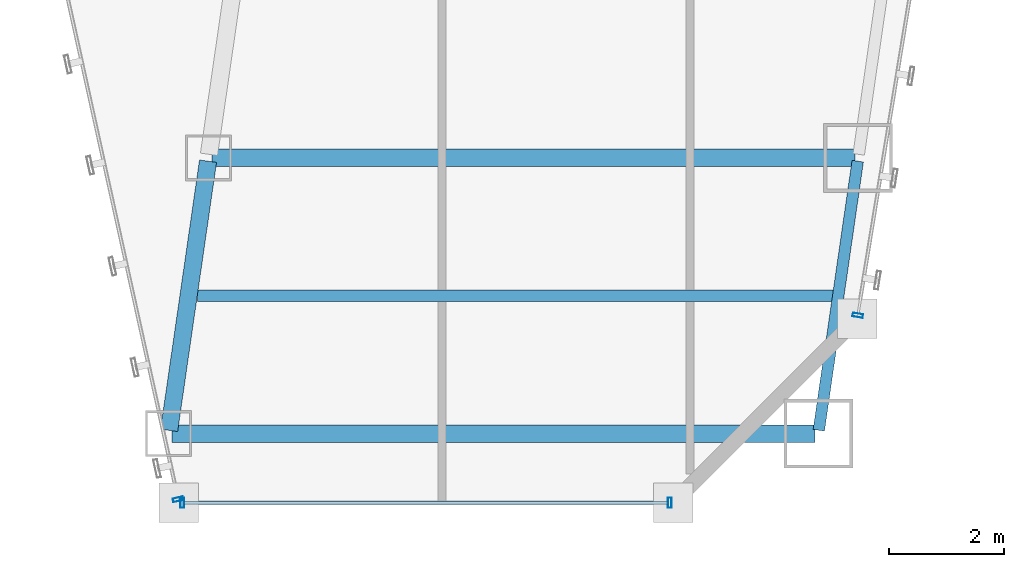
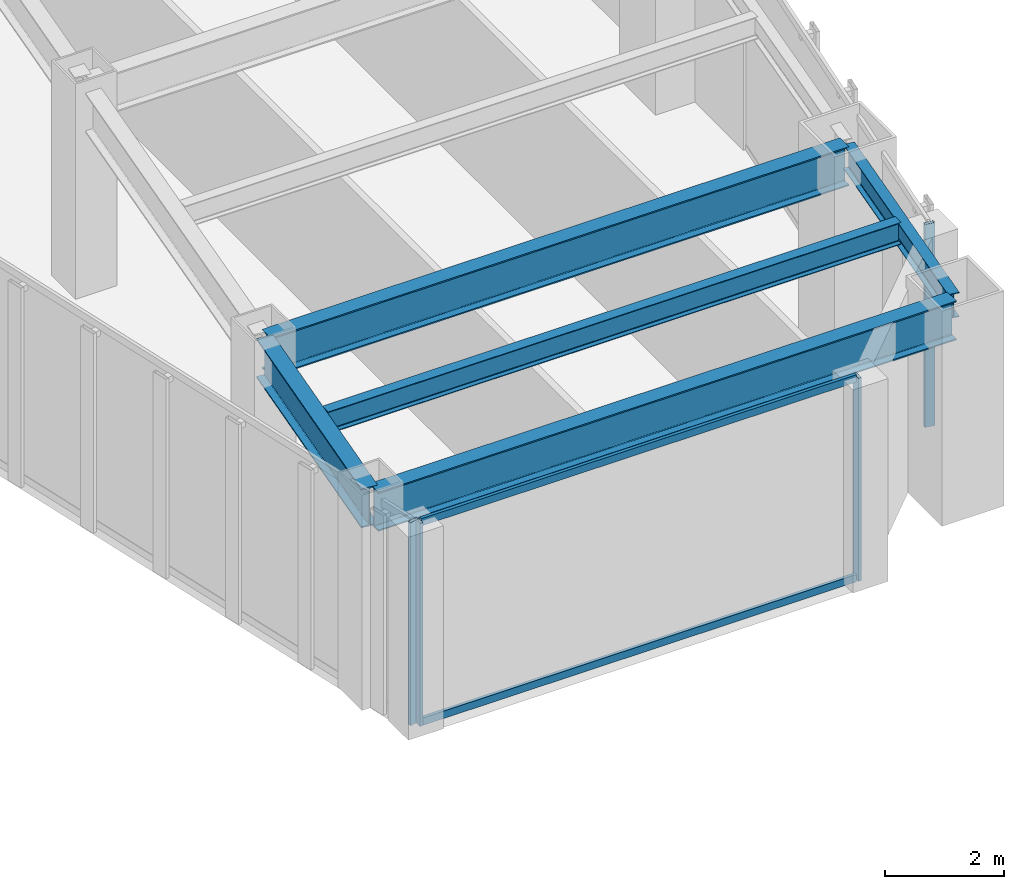
# One storey, part 15 of 47: 6 members, 5 beams, 3 elements without a shape of their own.
"""IFC4 building model written with IfcOpenShell, lengths in metres."""

import ifcopenshell
import ifcopenshell.guid

model = None  # the IFC model being written
_history = None  # IfcOwnerHistory: only IFC2X3 demands one
_inside = {}  # id of a spatial element -> (the spatial element, [elements in it])
_under = {}  # id of a project, library or spatial element -> (it, [spatial elements below it])
_declared = {}  # id of a project -> (the project, [libraries it declares])
_typed = {}  # id of a type object -> (the type object, [elements of that type])
_made_of = {}  # id of a material, layer set ... -> (it, [elements and type objects made of it])


def new_model(schema):
    """Start an empty IFC model of exactly this schema.

    Asked for "IFC4X3", IfcOpenShell would pick the latest addendum, in which some entities
    have other attributes; the version numbers below select the first issue.
    IFC2X3 requires an IfcOwnerHistory on every rooted entity: one is made here for all.
    """
    global model, _history
    if schema == "IFC4X3":
        model = ifcopenshell.file(schema_version=(4, 3, 0, 0))
    else:
        model = ifcopenshell.file(schema=schema)
    _inside.clear()
    _under.clear()
    _declared.clear()
    _typed.clear()
    _made_of.clear()
    _history = None
    if model.schema == "IFC2X3":
        org = make("IfcOrganization", Name="unknown")
        user = make(
            "IfcPersonAndOrganization",
            ThePerson=make("IfcPerson", FamilyName="unknown"),
            TheOrganization=org,
        )
        app = make(
            "IfcApplication",
            ApplicationDeveloper=org,
            Version="unknown",
            ApplicationFullName="unknown",
            ApplicationIdentifier="unknown",
        )
        _history = make(
            "IfcOwnerHistory",
            OwningUser=user,
            OwningApplication=app,
            ChangeAction="ADDED",
            CreationDate=0,
        )
    return model


def make(cls, **values):
    """One entity of the class cls with the attributes given. An attribute that is None is left unset."""
    return model.create_entity(
        cls, **{name: value for name, value in values.items() if value is not None}
    )


def rooted(cls, **values):
    """An entity with a GlobalId (a new one), such as an element, a storey or a relation."""
    return make(cls, GlobalId=ifcopenshell.guid.new(), OwnerHistory=_history, **values)


def si_unit(unit_type, name, prefix=None):
    """IfcSIUnit, for example si_unit("LENGTHUNIT", "METRE", prefix="MILLI")."""
    return make("IfcSIUnit", UnitType=unit_type, Prefix=prefix, Name=name)


def assignment(units):
    """IfcUnitAssignment: the units of a project."""
    return None if units is None else make("IfcUnitAssignment", Units=units)


def point(xyz):
    """IfcCartesianPoint."""
    return None if xyz is None else make("IfcCartesianPoint", Coordinates=xyz)


def direction(xyz):
    """IfcDirection."""
    return None if xyz is None else make("IfcDirection", DirectionRatios=xyz)


def frame(location, z_axis=None, x_axis=None):
    """IfcAxis2Placement3D, a coordinate frame: its origin and axes. An axis left out is left unset."""
    return make(
        "IfcAxis2Placement3D",
        Location=point(location),
        Axis=direction(z_axis),
        RefDirection=direction(x_axis),
    )


def frame_2d(location, x_axis=None):
    """IfcAxis2Placement2D, a coordinate frame in the plane: its origin and x axis."""
    return make(
        "IfcAxis2Placement2D", Location=point(location), RefDirection=direction(x_axis)
    )


def origin():
    """The frame at (0, 0, 0) with its axes left unset."""
    return frame((0.0, 0.0, 0.0))


def origin_2d():
    """The frame at (0, 0) in the plane with its x axis left unset."""
    return frame_2d((0.0, 0.0))


def place(relative_to, where):
    """IfcLocalPlacement: puts the frame where relative to a parent placement (None: the world)."""
    return make(
        "IfcLocalPlacement", PlacementRelTo=relative_to, RelativePlacement=where
    )


def context(
    kind, dimensions, precision=None, world=None, true_north=None, identifier=None
):
    """IfcGeometricRepresentationContext, for example the 3D "Model" context."""
    return make(
        "IfcGeometricRepresentationContext",
        ContextIdentifier=identifier,
        ContextType=kind,
        CoordinateSpaceDimension=dimensions,
        Precision=precision,
        WorldCoordinateSystem=world,
        TrueNorth=true_north,
    )


def subcontext(parent, identifier, kind, view, scale=None):
    """IfcGeometricRepresentationSubContext, for example "Body" below "Model"."""
    return make(
        "IfcGeometricRepresentationSubContext",
        ContextIdentifier=identifier,
        ContextType=kind,
        ParentContext=parent,
        TargetScale=scale,
        TargetView=view,
    )


def project(units=None, contexts=None):
    """IfcProject with its units and contexts."""
    return rooted(
        "IfcProject",
        Name="project",
        RepresentationContexts=contexts,
        UnitsInContext=assignment(units),
    )


def spatial(cls, under=None, at=None, **own):
    """A site, building, storey or space (cls), placed at a placement, below another one or the project."""
    s = rooted(cls, ObjectPlacement=at, **own)
    if under is not None:
        _under.setdefault(under.id(), (under, []))[1].append(s)
    return s


def profile(cls, at=None, kind="AREA", **sizes):
    """A parametric profile (cls). Its sizes go by their IFC names, for example OverallWidth=200.0."""
    return make(cls, ProfileType=kind, Position=at, **sizes)


def hollow_rectangle(**sizes):
    """IfcRectangleHollowProfileDef."""
    return profile("IfcRectangleHollowProfileDef", **sizes)


def i_section(**sizes):
    """IfcIShapeProfileDef."""
    return profile("IfcIShapeProfileDef", **sizes)


def extrude(swept, where, along, depth):
    """IfcExtrudedAreaSolid: the profile swept, set in the frame where, extruded along a direction by depth."""
    return make(
        "IfcExtrudedAreaSolid",
        SweptArea=swept,
        Position=where,
        ExtrudedDirection=direction(along),
        Depth=depth,
    )


def shape(context_of_items, identifier, shape_type, items):
    """IfcShapeRepresentation: the items that make up one representation, for example the "Body"."""
    return make(
        "IfcShapeRepresentation",
        ContextOfItems=context_of_items,
        RepresentationIdentifier=identifier,
        RepresentationType=shape_type,
        Items=items,
    )


def material(Name=None, Category=None):
    """IfcMaterial."""
    return make("IfcMaterial", Name=Name, Category=Category)


def material_profile(
    of_material, cross_section, Name=None, Category=None, Priority=None
):
    """IfcMaterialProfile: a cross section and its material."""
    return make(
        "IfcMaterialProfile",
        Name=Name,
        Material=of_material,
        Profile=cross_section,
        Priority=Priority,
        Category=Category,
    )


def profile_set(profiles, Name=None, composite=None):
    """IfcMaterialProfileSet."""
    return make(
        "IfcMaterialProfileSet",
        Name=Name,
        MaterialProfiles=profiles,
        CompositeProfile=composite,
    )


def made_of(thing, what):
    """Note that an element or type object is made of a material, layer set ...; save() writes the relation."""
    if what is not None:
        _made_of.setdefault(what.id(), (what, []))[1].append(thing)
    return thing


def type_object(cls, material=None, **own):
    """A type object (cls), such as IfcWallType, which elements share."""
    return made_of(rooted(cls, **own), material)


def element(
    cls,
    number,
    at=None,
    inside=None,
    cuts=None,
    type_object=None,
    material=None,
    context=None,
    identifier="Body",
    shape_type=None,
    held_by="IfcProductDefinitionShape",
    body=None,
    shapes=None,
    **own,
):
    """One element of the class cls, such as IfcWall. Its Tag is "e" and its number.

    at: its placement. inside: the storey or other place that contains it. cuts: it is an
    opening in that element (IfcRelVoidsElement). A single representation is given by context,
    identifier, shape_type and body (its items); several are given by shapes. held_by: the class
    of the entity that holds the representations. save() writes the other relations.
    """
    e = rooted(cls, Tag="e%d" % number, ObjectPlacement=at, **own)
    if body is not None:
        shapes = [shape(context, identifier, shape_type, body)]
    if shapes is not None:
        e.Representation = make(held_by, Representations=shapes)
    if inside is not None:
        _inside.setdefault(inside.id(), (inside, []))[1].append(e)
    if cuts is not None:
        rooted(
            "IfcRelVoidsElement", RelatingBuildingElement=cuts, RelatedOpeningElement=e
        )
    if type_object is not None:
        _typed.setdefault(type_object.id(), (type_object, []))[1].append(e)
    return made_of(e, material)


def aggregate(whole, parts):
    """IfcRelAggregates: a whole, such as a stair, and the parts it consists of."""
    return rooted("IfcRelAggregates", RelatingObject=whole, RelatedObjects=parts)


def save(model, path):
    """Write the relations noted so far, then the file.

    IfcRelAggregates (storeys below a building ...), IfcRelContainedInSpatialStructure (elements
    in a storey), IfcRelDefinesByType, IfcRelAssociatesMaterial and IfcRelDeclares: one each for
    every whole, place, type object, material and project.
    """
    for whole, parts in _under.values():
        aggregate(whole, parts)
    for where, things in _inside.values():
        rooted(
            "IfcRelContainedInSpatialStructure",
            RelatedElements=things,
            RelatingStructure=where,
        )
    for kind, things in _typed.values():
        rooted("IfcRelDefinesByType", RelatedObjects=things, RelatingType=kind)
    for what, things in _made_of.values():
        rooted("IfcRelAssociatesMaterial", RelatedObjects=things, RelatingMaterial=what)
    for by, libraries in _declared.values():
        rooted("IfcRelDeclares", RelatingContext=by, RelatedDefinitions=libraries)
    model.write(path)


model = new_model("IFC4")

# Units and contexts
model_context = context("Model", 3, precision=1e-05, world=origin(), true_north=direction((0.0, 1.0)))
body_context = subcontext(model_context, "Body", "Model", "MODEL_VIEW")
ifc_project = project(units=[si_unit("LENGTHUNIT", "METRE"), si_unit("AREAUNIT", "SQUARE_METRE"), si_unit("VOLUMEUNIT", "CUBIC_METRE"), si_unit("PLANEANGLEUNIT", "RADIAN"), si_unit("MASSUNIT", "GRAM", prefix="KILO")], contexts=[model_context])

# Site, building, storey
site_placement = place(None, origin())
site = spatial("IfcSite", under=ifc_project, at=site_placement, CompositionType="ELEMENT")
building_placement = place(site_placement, origin())
building = spatial("IfcBuilding", under=site, at=building_placement, Name="Saevonmaru Cultural Tower", CompositionType="ELEMENT")
storey_placement = place(building_placement, frame((0.0, 0.0, 64.800048828125)))
storey = spatial("IfcBuildingStorey", under=building, at=storey_placement, Name="L13", CompositionType="ELEMENT", Elevation=64.800048828125)

# Beams
ifc_material_1 = material(Name="Steel SM420", Category="steel")
ifc_material_profile_1 = material_profile(ifc_material_1, i_section(OverallWidth=0.300048828125, OverallDepth=0.800048828125, WebThickness=0.013916015625, FlangeThickness=0.02587890625, FilletRadius=0.028076171875, at=origin_2d()), Name="H-800x300x14x26")
ifc_profile_set_1 = profile_set([ifc_material_profile_1], Name="Steel SM420")
beam_type_1 = type_object("IfcBeamType", Name="BM-G-H800", PredefinedType="BEAM", material=ifc_profile_set_1)
beam_1_placement = place(storey_placement, frame((36.231689453125, 3.259521484375, 3.75), z_axis=(0.143083234893, 0.989710658674, 0.0), x_axis=(-0.989710658674, 0.143083234893, 0.0)))
element("IfcBeam", 1, at=beam_1_placement, inside=storey, type_object=beam_type_1, Name="L13 East Atrium Girder 1", PredefinedType="BEAM", context=body_context, shape_type="SweptSolid", body=[
    extrude(i_section(OverallWidth=0.300048828125, OverallDepth=0.800048828125, WebThickness=0.013916015625, FlangeThickness=0.02587890625, FilletRadius=0.028076171875, at=origin_2d()), origin(), (0.0, 0.0, 1.0), 4.729736328125),
])
for number, where, z_axis, x_axis, name in (
    (2, (36.282958984375, 3.199951171875, 3.75), (1.0, 0.0, 0.0), (0.0, 1.0, 0.0), "L13 East Wing Transverse Girder 1"),
    (3, (36.97705078125, 8.0, 3.75), (1.0, 0.0, 0.0), (0.0, 1.0, 0.0), "L13 East Wing Transverse Girder 2"),
):
    element("IfcBeam", number, at=place(storey_placement, frame(where, z_axis=z_axis, x_axis=x_axis)), inside=storey, type_object=beam_type_1, Name=name, PredefinedType="BEAM", context=body_context, shape_type="SweptSolid", body=[
        extrude(i_section(OverallWidth=0.300048828125, OverallDepth=0.800048828125, WebThickness=0.013916015625, FlangeThickness=0.02587890625, FilletRadius=0.028076171875, at=origin_2d()), origin(), (0.0, 0.0, 1.0), 11.179931640625),
    ])
ifc_material_2 = material(Name="Steel SM355", Category="steel")
ifc_material_profile_2 = material_profile(ifc_material_2, i_section(OverallWidth=0.199951171875, OverallDepth=0.449951171875, WebThickness=0.009033203125, FlangeThickness=0.013916015625, FilletRadius=0.01806640625, at=origin_2d()), Name="H-450x200x9x14")
ifc_profile_set_2 = profile_set([ifc_material_profile_2], Name="Steel SM355")
beam_type_2 = type_object("IfcBeamType", Name="BM-J-H450", PredefinedType="JOIST", material=ifc_profile_set_2)
beam_2_placement = place(storey_placement, frame((36.72802734375, 5.60009765625, 3.925048828125), z_axis=(1.0, 0.0, 0.0), x_axis=(0.0, 1.0, 0.0)))
element("IfcBeam", 4, at=beam_2_placement, inside=storey, type_object=beam_type_2, Name="L13 East Wing Floor Joist 1", PredefinedType="JOIST", context=body_context, shape_type="SweptSolid", body=[
    extrude(i_section(OverallWidth=0.199951171875, OverallDepth=0.449951171875, WebThickness=0.009033203125, FlangeThickness=0.013916015625, FilletRadius=0.01806640625, at=origin_2d()), origin(), (0.0, 0.0, 1.0), 11.08203125),
])
ifc_material_profile_3 = material_profile(ifc_material_2, i_section(OverallWidth=0.199951171875, OverallDepth=0.5, WebThickness=0.010009765625, FlangeThickness=0.01611328125, FilletRadius=0.02001953125, at=origin_2d()), Name="H-500x200x10x16")
ifc_profile_set_3 = profile_set([ifc_material_profile_3], Name="Steel SM355")
beam_type_3 = type_object("IfcBeamType", Name="BM-SP-H500", PredefinedType="SPANDREL", material=ifc_profile_set_3)
beam_3_placement = place(storey_placement, frame((47.531494140625, 3.259521484375, 3.89990234375), z_axis=(0.14313379491, 0.989703347855, 0.0), x_axis=(-0.989703347855, 0.14313379491, 0.0)))
element("IfcBeam", 5, at=beam_3_placement, inside=storey, type_object=beam_type_3, Name="L13 East Splayed Spandrel 1", PredefinedType="SPANDREL", context=body_context, shape_type="SweptSolid", body=[
    extrude(i_section(OverallWidth=0.199951171875, OverallDepth=0.5, WebThickness=0.010009765625, FlangeThickness=0.01611328125, FilletRadius=0.02001953125, at=origin_2d()), origin(), (0.0, 0.0, 1.0), 4.729736328125),
])

# Curtain wall, member
ifc_material_3 = material(Name="Satin Bronze Anodised Aluminium", Category="aluminium")
curtain_wall_type = type_object("IfcCurtainWallType", Name="CW-TYP-A", PredefinedType="NOTDEFINED", material=ifc_material_3)
curtain_wall_1_placement = place(storey_placement, origin())
curtain_wall_1 = element("IfcCurtainWall", 6, at=curtain_wall_1_placement, inside=storey, type_object=curtain_wall_type, Name="L13 Unitised Curtain Wall E5", PredefinedType="NOTDEFINED")
ifc_material_profile_4 = material_profile(ifc_material_3, hollow_rectangle(XDim=0.06494140625, YDim=0.179931640625, WallThickness=0.00390625, at=origin_2d()), Name="ALU-MULL-180x65x4")
ifc_profile_set_4 = profile_set([ifc_material_profile_4], Name="Satin Bronze Anodised Aluminium")
member_type_1 = type_object("IfcMemberType", Name="ML-CW-180x65", PredefinedType="MULLION", material=ifc_profile_set_4)
member_1_placement = place(storey_placement, frame((36.38720703125, 2.05859375, 0.0), z_axis=(0.0, 0.0, 1.0), x_axis=(0.215413319953, -0.976522965212, 0.0)))
member_1 = element("IfcMember", 7, at=member_1_placement, type_object=member_type_1, Name="CW-TW-L13-E5 mullion 2", PredefinedType="MULLION", context=body_context, shape_type="SweptSolid", body=[
    extrude(hollow_rectangle(XDim=0.06494140625, YDim=0.179931640625, WallThickness=0.00390625, at=origin_2d()), origin(), (0.0, 0.0, 1.0), 4.14990234375),
])
aggregate(curtain_wall_1, [member_1])

# Curtain wall, members
curtain_wall_2_placement = place(storey_placement, origin())
curtain_wall_2 = element("IfcCurtainWall", 8, at=curtain_wall_2_placement, inside=storey, type_object=curtain_wall_type, Name="L13 Unitised Curtain Wall E6", PredefinedType="NOTDEFINED")
member_2_placement = place(storey_placement, frame((36.4599609375, 2.0, 0.0), z_axis=(0.0, 0.0, 1.0), x_axis=(1.0, 0.0, 0.0)))
member_2 = element("IfcMember", 9, at=member_2_placement, type_object=member_type_1, Name="CW-TW-L13-E6 mullion 1", PredefinedType="MULLION", context=body_context, shape_type="SweptSolid", body=[
    extrude(hollow_rectangle(XDim=0.06494140625, YDim=0.179931640625, WallThickness=0.00390625, at=origin_2d()), origin(), (0.0, 0.0, 1.0), 4.14990234375),
])
member_3_placement = place(storey_placement, frame((44.93994140625, 2.0, 0.0), z_axis=(0.0, 0.0, 1.0), x_axis=(1.0, 0.0, 0.0)))
member_3 = element("IfcMember", 10, at=member_3_placement, type_object=member_type_1, Name="CW-TW-L13-E6 mullion 2", PredefinedType="MULLION", context=body_context, shape_type="SweptSolid", body=[
    extrude(hollow_rectangle(XDim=0.06494140625, YDim=0.179931640625, WallThickness=0.00390625, at=origin_2d()), origin(), (0.0, 0.0, 1.0), 4.14990234375),
])

# Curtain wall, member
curtain_wall_3_placement = place(storey_placement, origin())
curtain_wall_3 = element("IfcCurtainWall", 11, at=curtain_wall_3_placement, inside=storey, type_object=curtain_wall_type, Name="L13 Unitised Curtain Wall E8", PredefinedType="NOTDEFINED")
member_4_placement = place(storey_placement, frame((48.209716796875, 5.25927734375, 0.0), z_axis=(0.0, 0.0, 1.0), x_axis=(0.161708868641, 0.986838508472, 0.0)))
member_4 = element("IfcMember", 12, at=member_4_placement, type_object=member_type_1, Name="CW-TW-L13-E8 mullion 1", PredefinedType="MULLION", context=body_context, shape_type="SweptSolid", body=[
    extrude(hollow_rectangle(XDim=0.06494140625, YDim=0.179931640625, WallThickness=0.00390625, at=origin_2d()), origin(), (0.0, 0.0, 1.0), 4.14990234375),
])
aggregate(curtain_wall_3, [member_4])

# Member
ifc_material_profile_5 = material_profile(ifc_material_3, hollow_rectangle(XDim=0.06494140625, YDim=0.14990234375, WallThickness=0.00390625, at=origin_2d()), Name="ALU-TRAN-150x65x4")
ifc_profile_set_5 = profile_set([ifc_material_profile_5], Name="Satin Bronze Anodised Aluminium")
member_type_2 = type_object("IfcMemberType", Name="TR-CW-150x65", PredefinedType="USERDEFINED", material=ifc_profile_set_5)
member_5_placement = place(storey_placement, frame((36.492431640625, 2.0, 0.032470703125), z_axis=(1.0, 0.0, 0.0), x_axis=(0.0, 1.0, 0.0)))
member_5 = element("IfcMember", 13, at=member_5_placement, type_object=member_type_2, Name="CW-TW-L13-E6 transom 1.1", ObjectType="TRANSOM", PredefinedType="USERDEFINED", context=body_context, shape_type="SweptSolid", body=[
    extrude(hollow_rectangle(XDim=0.06494140625, YDim=0.14990234375, WallThickness=0.00390625, at=origin_2d()), origin(), (0.0, 0.0, 1.0), 8.4150390625),
])

member_6_placement = place(storey_placement, frame((36.492431640625, 2.0, 4.117431640625), z_axis=(1.0, 0.0, 0.0), x_axis=(0.0, 1.0, 0.0)))
member_6 = element("IfcMember", 14, at=member_6_placement, type_object=member_type_2, Name="CW-TW-L13-E6 transom 1.2", ObjectType="TRANSOM", PredefinedType="USERDEFINED", context=body_context, shape_type="SweptSolid", body=[
    extrude(hollow_rectangle(XDim=0.06494140625, YDim=0.14990234375, WallThickness=0.00390625, at=origin_2d()), origin(), (0.0, 0.0, 1.0), 8.4150390625),
])

aggregate(curtain_wall_2, [member_2, member_3, member_5, member_6])

save(model, "model.ifc")
